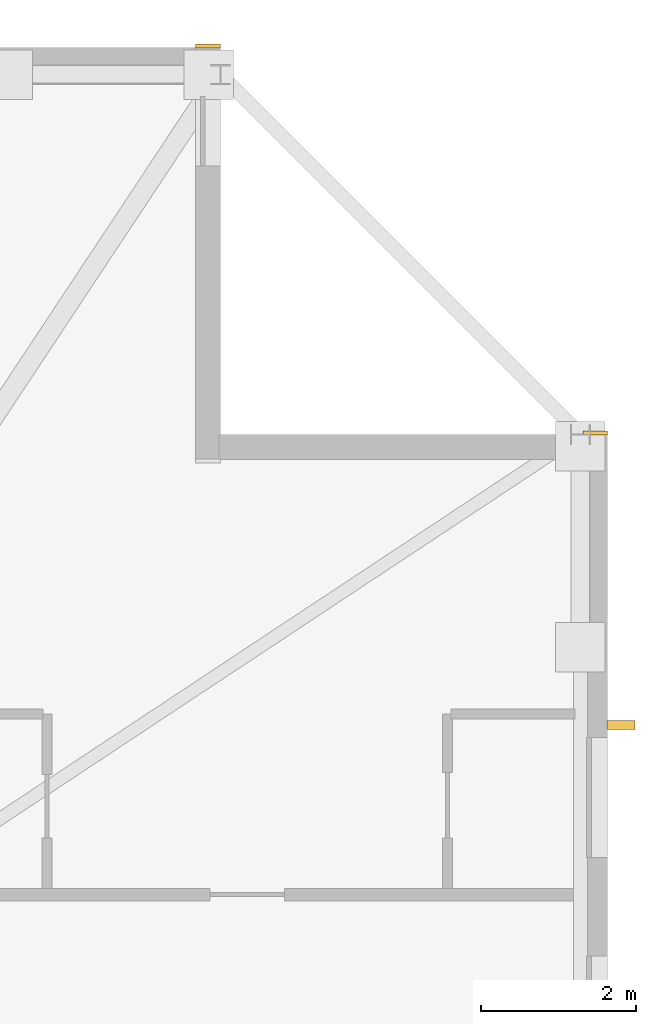
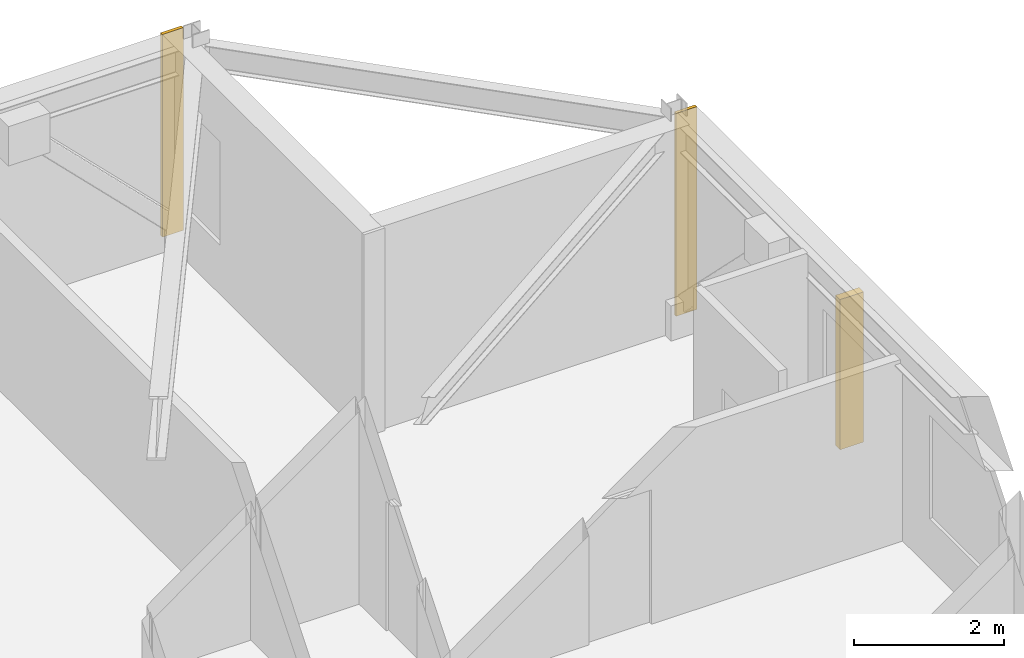
# One storey, part 17 of 17: 2 coverings, 1 shading device.
"""IFC4 building model written with IfcOpenShell, lengths in metres."""

from ifc_helpers import new_model, si_unit, direction, frame, frame_2d, origin, origin_2d, place, context, subcontext, project, spatial, rectangle, extrude, material, layer, layer_set, type_object, element, save


model = new_model("IFC4")

# Units and contexts
model_context = context("Model", 3, precision=1e-05, world=origin(), true_north=direction((0.0, 1.0)))
body_context = subcontext(model_context, "Body", "Model", "MODEL_VIEW")
ifc_project = project(units=[si_unit("LENGTHUNIT", "METRE"), si_unit("AREAUNIT", "SQUARE_METRE"), si_unit("VOLUMEUNIT", "CUBIC_METRE"), si_unit("PLANEANGLEUNIT", "RADIAN"), si_unit("MASSUNIT", "GRAM", prefix="KILO")], contexts=[model_context])

# Site, building, storey
site_placement = place(None, origin())
site = spatial("IfcSite", under=ifc_project, at=site_placement, CompositionType="ELEMENT")
building_placement = place(site_placement, origin())
building = spatial("IfcBuilding", under=site, at=building_placement, Name="Cairnveth Concourse Tower", CompositionType="ELEMENT")
storey_placement = place(building_placement, frame((0.0, 0.0, 241.0)))
storey = spatial("IfcBuildingStorey", under=building, at=storey_placement, Name="L66", CompositionType="ELEMENT", Elevation=241.0)

# Coverings
ifc_material_1 = material(Name="Dressed Melbourne Bluestone Cladding", Category="masonry")
ifc_layer = layer(ifc_material_1, 0.050048828125)
ifc_layer_set = layer_set([ifc_layer], Name="Dressed Melbourne Bluestone Cladding")
covering_type = type_object("IfcCoveringType", Name="DRESSED BLUESTONE PLINTH CLADDING 50", PredefinedType="CLADDING", material=ifc_layer_set)
for number, where, z_axis, x_axis, name in (
    (1, (69.179931640625, 61.52001953125, 0.0), (0.0, 0.0, 1.0), (1.0, 0.0, 0.0), "Melbourne Bluestone Corner Quoin L66-995"),
    (2, (74.179931640625, 56.52001953125, 0.0), (0.0, 0.0, 1.0), (1.0, 0.0, 0.0), "Melbourne Bluestone Corner Quoin L66-997"),
):
    element("IfcCovering", number, at=place(storey_placement, frame(where, z_axis=z_axis, x_axis=x_axis)), inside=storey, type_object=covering_type, Name=name, PredefinedType="CLADDING", context=body_context, shape_type="SweptSolid", body=[
        extrude(rectangle(XDim=0.320068359375, YDim=0.050048828125, at=frame_2d((0.16015625, 0.0))), origin(), (0.0, 0.0, 1.0), 3.2900390625),
    ])

# Shading device
ifc_material_2 = material(Name="Architectural Bronze Anodised Aluminium 6063-T6", Category="aluminium")
shading_device_type = type_object("IfcShadingDeviceType", Name="GOTHIC BRONZE VERTICAL LANCET FIN", PredefinedType="USERDEFINED", material=ifc_material_2)
shading_device_placement = place(storey_placement, frame((74.675048828125, 52.747314453125, 0.030029296875), z_axis=(0.0, 0.0, 1.0), x_axis=(0.0, 1.0, 0.0)))
element("IfcShadingDevice", 3, at=shading_device_placement, inside=storey, type_object=shading_device_type, Name="Gothic Bronze Vertical Fin L66-6-1", ObjectType="VERTICAL FIN", PredefinedType="USERDEFINED", context=body_context, shape_type="SweptSolid", body=[
    extrude(rectangle(XDim=0.1201171875, YDim=0.360107421875, at=origin_2d()), origin(), (0.0, 0.0, 1.0), 2.43798828125),
])

save(model, "model.ifc")
